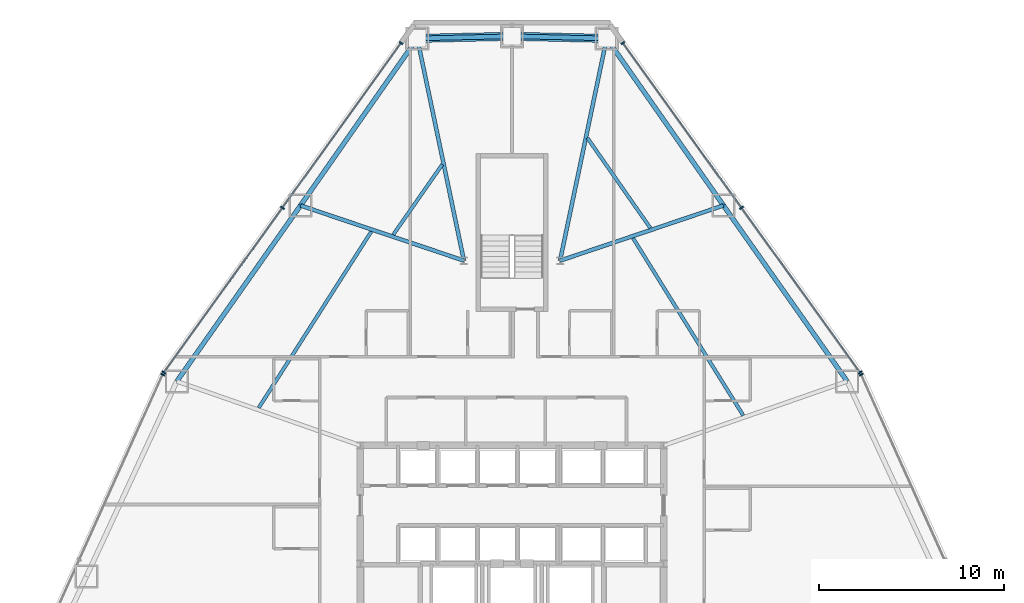
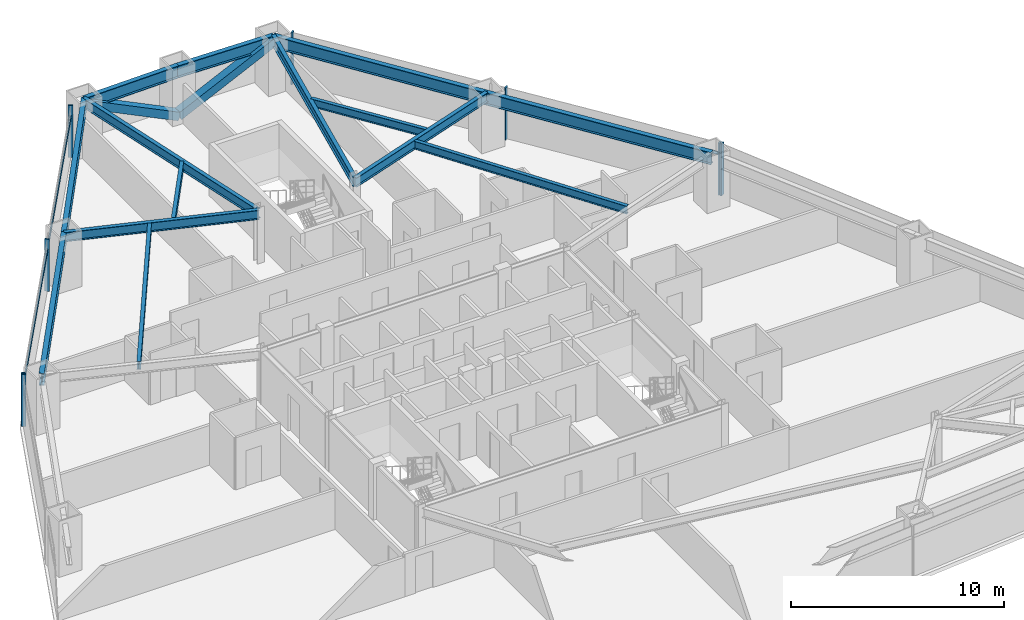
# One storey, part 7 of 12: 14 beams, 12 members, 4 elements without a shape of their own.
"""IFC4 building model written with IfcOpenShell, lengths in metres."""

from ifc_helpers import new_model, si_unit, direction, frame, origin, origin_2d, place, context, subcontext, project, spatial, rectangle, hollow_rectangle, i_section, extrude, source, transform, mapped, material, layer, layer_set, material_profile, profile_set, type_object, type_shapes, element, aggregate, save


model = new_model("IFC4")

# Units and contexts
model_context = context("Model", 3, precision=1e-05, world=origin(), true_north=direction((0.0, 1.0)))
body_context = subcontext(model_context, "Body", "Model", "MODEL_VIEW")
ifc_project = project(units=[si_unit("LENGTHUNIT", "METRE"), si_unit("AREAUNIT", "SQUARE_METRE"), si_unit("VOLUMEUNIT", "CUBIC_METRE"), si_unit("PLANEANGLEUNIT", "RADIAN"), si_unit("MASSUNIT", "GRAM", prefix="KILO")], contexts=[model_context])

# Site, building, storey
site_placement = place(None, origin())
site = spatial("IfcSite", under=ifc_project, at=site_placement, CompositionType="ELEMENT")
building_placement = place(site_placement, origin())
building = spatial("IfcBuilding", under=site, at=building_placement, Name="Varakhsha Concourse Tower", CompositionType="ELEMENT")
storey_placement = place(building_placement, frame((0.0, 0.0, 30.39990234375)))
storey = spatial("IfcBuildingStorey", under=building, at=storey_placement, Name="L07", CompositionType="ELEMENT", Elevation=30.39990234375)

# Beams
ifc_material_1 = material(Name="Structural Steel ASTM A992 Grade 50", Category="steel")
ifc_material_profile_1 = material_profile(ifc_material_1, i_section(OverallWidth=0.19091796875, OverallDepth=0.45703125, WebThickness=0.009033203125, FlangeThickness=0.013916015625, at=origin_2d()), Name="W18X50")
ifc_profile_set_1 = profile_set([ifc_material_profile_1], Name="Structural Steel ASTM A992 Grade 50")
beam_type_1 = type_object("IfcBeamType", Name="BM-JST-W18X50", PredefinedType="JOIST", material=ifc_profile_set_1)
beam_1_placement = place(storey_placement, frame((36.226318359375, 46.400146484375, 2.751708984375), z_axis=(-0.572821959369, -0.819679817285, 0.0), x_axis=(0.819679817285, -0.572821959369, 0.0)))
element("IfcBeam", 1, at=beam_1_placement, inside=storey, type_object=beam_type_1, Name="BM-TJST-L07-03", PredefinedType="JOIST", context=body_context, shape_type="SweptSolid", body=[
    extrude(i_section(OverallWidth=0.19091796875, OverallDepth=0.45703125, WebThickness=0.009033203125, FlangeThickness=0.013916015625, at=origin_2d()), origin(), (0.0, 0.0, 1.0), 4.63232421875),
])
beam_2_placement = place(storey_placement, frame((32.3896484375, 42.7783203125, 2.751708984375), z_axis=(-0.53821146818, -0.842809833545, 0.0), x_axis=(0.842809833545, -0.53821146818, 0.0)))
element("IfcBeam", 2, at=beam_2_placement, inside=storey, type_object=beam_type_1, Name="BM-TJST-L07-04", PredefinedType="JOIST", context=body_context, shape_type="SweptSolid", body=[
    extrude(i_section(OverallWidth=0.19091796875, OverallDepth=0.45703125, WebThickness=0.009033203125, FlangeThickness=0.013916015625, at=origin_2d()), origin(), (0.0, 0.0, 1.0), 11.322265625),
])
beam_3_placement = place(storey_placement, frame((52.51318359375, 32.8203125, 2.751708984375), z_axis=(-0.527810727091, 0.849362017262, 0.0), x_axis=(-0.849362017262, -0.527810727091, 0.0)))
element("IfcBeam", 3, at=beam_3_placement, inside=storey, type_object=beam_type_1, Name="BM-TJST-L07-17", PredefinedType="JOIST", context=body_context, shape_type="SweptSolid", body=[
    extrude(i_section(OverallWidth=0.19091796875, OverallDepth=0.45703125, WebThickness=0.009033203125, FlangeThickness=0.013916015625, at=origin_2d()), origin(), (0.0, 0.0, 1.0), 11.301513671875),
])
beam_4_placement = place(storey_placement, frame((47.488037109375, 42.961181640625, 2.751708984375), z_axis=(-0.572823903729, 0.819678458492, 0.0), x_axis=(-0.819678458492, -0.572823903729, 0.0)))
element("IfcBeam", 4, at=beam_4_placement, inside=storey, type_object=beam_type_1, Name="BM-TJST-L07-18", PredefinedType="JOIST", context=body_context, shape_type="SweptSolid", body=[
    extrude(i_section(OverallWidth=0.19091796875, OverallDepth=0.45703125, WebThickness=0.009033203125, FlangeThickness=0.013916015625, at=origin_2d()), origin(), (0.0, 0.0, 1.0), 5.955810546875),
])
ifc_material_profile_2 = material_profile(ifc_material_1, i_section(OverallWidth=0.2109375, OverallDepth=0.5390625, WebThickness=0.011962890625, FlangeThickness=0.01904296875, at=origin_2d()), Name="W21X73")
ifc_profile_set_2 = profile_set([ifc_material_profile_2], Name="Structural Steel ASTM A992 Grade 50")
beam_type_2 = type_object("IfcBeamType", Name="BM-RAD-W21X73", PredefinedType="BEAM", material=ifc_profile_set_2)
for number, where, z_axis, x_axis, name in (
    (5, (42.60009765625, 41.199951171875, 2.710693359375), (0.205439579313, 0.97866980093, 0.0), (-0.97866980093, 0.205439579313, 0.0), "L07 Radial Floor Girder 01"),
    (6, (37.39990234375, 41.199951171875, 2.710693359375), (-0.205439579313, 0.97866980093, 0.0), (-0.97866980093, -0.205439579313, 0.0), "L07 Radial Floor Girder 03"),
):
    element("IfcBeam", number, at=place(storey_placement, frame(where, z_axis=z_axis, x_axis=x_axis)), inside=storey, type_object=beam_type_2, Name=name, PredefinedType="BEAM", context=body_context, shape_type="SweptSolid", body=[
        extrude(i_section(OverallWidth=0.2109375, OverallDepth=0.5390625, WebThickness=0.011962890625, FlangeThickness=0.01904296875, at=origin_2d()), origin(), (0.0, 0.0, 1.0), 12.285400390625),
    ])
for number, where, z_axis, x_axis, name in (
    (7, (37.39990234375, 41.199951171875, 2.710693359375), (-0.947494062614, 0.319773359288, 0.0), (-0.319773359288, -0.947494062614, 0.0), "L07 Radial Floor Girder 04"),
    (8, (42.60009765625, 41.199951171875, 2.710693359375), (0.947494062614, 0.319773359288, 0.0), (-0.319773359288, 0.947494062614, 0.0), "L07 Radial Floor Girder 18"),
):
    element("IfcBeam", number, at=place(storey_placement, frame(where, z_axis=z_axis, x_axis=x_axis)), inside=storey, type_object=beam_type_2, Name=name, PredefinedType="BEAM", context=body_context, shape_type="SweptSolid", body=[
        extrude(i_section(OverallWidth=0.2109375, OverallDepth=0.5390625, WebThickness=0.011962890625, FlangeThickness=0.01904296875, at=origin_2d()), origin(), (0.0, 0.0, 1.0), 9.331298828125),
    ])
ifc_material_profile_3 = material_profile(ifc_material_1, i_section(OverallWidth=0.25390625, OverallDepth=0.701904296875, WebThickness=0.014892578125, FlangeThickness=0.028076171875, at=origin_2d()), Name="W27X129")
ifc_profile_set_3 = profile_set([ifc_material_profile_3], Name="Structural Steel ASTM A992 Grade 50")
beam_type_3 = type_object("IfcBeamType", Name="BM-SPAN-W27X129", PredefinedType="SPANDREL", material=ifc_profile_set_3)
for number, where, z_axis, x_axis, name in (
    (9, (45.1240234375, 53.223388671875, 2.629150390625), (-0.999740752381, 0.022769014658, 0.0), (-0.022769014658, -0.999740752381, 0.0), "BM-SPAN-L07-01"),
    (10, (40.0, 53.340087890625, 2.629150390625), (-0.999740752381, -0.022769014658, 0.0), (0.022769014658, -0.999740752381, 0.0), "BM-SPAN-L07-02"),
):
    element("IfcBeam", number, at=place(storey_placement, frame(where, z_axis=z_axis, x_axis=x_axis)), inside=storey, type_object=beam_type_3, Name=name, PredefinedType="SPANDREL", context=body_context, shape_type="SweptSolid", body=[
        extrude(i_section(OverallWidth=0.25390625, OverallDepth=0.701904296875, WebThickness=0.014892578125, FlangeThickness=0.028076171875, at=origin_2d()), origin(), (0.0, 0.0, 1.0), 5.125244140625),
    ])
beam_5_placement = place(storey_placement, frame((34.8759765625, 53.223388671875, 2.629150390625), z_axis=(-0.572835189136, -0.819670571686, 0.0), x_axis=(0.819670571686, -0.572835189136, 0.0)))
element("IfcBeam", 11, at=beam_5_placement, inside=storey, type_object=beam_type_3, Name="BM-SPAN-L07-03", PredefinedType="SPANDREL", context=body_context, shape_type="SweptSolid", body=[
    extrude(i_section(OverallWidth=0.25390625, OverallDepth=0.701904296875, WebThickness=0.014892578125, FlangeThickness=0.028076171875, at=origin_2d()), origin(), (0.0, 0.0, 1.0), 11.0283203125),
])
for number, where, z_axis, x_axis, name in (
    (12, (28.55859375, 44.183837890625, 2.629150390625), (-0.575386304622, -0.817881776575, 0.0), (0.817881776575, -0.575386304622, 0.0), "BM-SPAN-L07-04"),
    (13, (58.134521484375, 34.669921875, 2.629150390625), (-0.575386304622, 0.817881776575, 0.0), (-0.817881776575, -0.575386304622, 0.0), "BM-SPAN-L07-17"),
):
    element("IfcBeam", number, at=place(storey_placement, frame(where, z_axis=z_axis, x_axis=x_axis)), inside=storey, type_object=beam_type_3, Name=name, PredefinedType="SPANDREL", context=body_context, shape_type="SweptSolid", body=[
        extrude(i_section(OverallWidth=0.25390625, OverallDepth=0.701904296875, WebThickness=0.014892578125, FlangeThickness=0.028076171875, at=origin_2d()), origin(), (0.0, 0.0, 1.0), 11.63232421875),
    ])
beam_6_placement = place(storey_placement, frame((51.44140625, 44.183837890625, 2.629150390625), z_axis=(-0.572835189136, 0.819670571686, 0.0), x_axis=(-0.819670571686, -0.572835189136, 0.0)))
element("IfcBeam", 14, at=beam_6_placement, inside=storey, type_object=beam_type_3, Name="BM-SPAN-L07-18", PredefinedType="SPANDREL", context=body_context, shape_type="SweptSolid", body=[
    extrude(i_section(OverallWidth=0.25390625, OverallDepth=0.701904296875, WebThickness=0.014892578125, FlangeThickness=0.028076171875, at=origin_2d()), origin(), (0.0, 0.0, 1.0), 11.0283203125),
])

# Members
ifc_material_2 = material(Name="Structural Steel ASTM A500 Grade C", Category="steel")
ifc_material_profile_4 = material_profile(ifc_material_2, hollow_rectangle(XDim=0.449951171875, YDim=0.449951171875, WallThickness=0.01904296875, at=origin_2d()), Name="HSS 450x450x19")
ifc_profile_set_4 = profile_set([ifc_material_profile_4], Name="Structural Steel ASTM A500 Grade C")
member_type_1 = type_object("IfcMemberType", Name="MB-TUBE-HSS450", PredefinedType="BRACE", material=ifc_profile_set_4)
shared_shape_1 = source(origin(), body_context, "Body", "SweptSolid", [
    extrude(hollow_rectangle(XDim=0.449951171875, YDim=0.449951171875, WallThickness=0.01904296875, at=origin_2d()), origin(), (0.0, 0.0, 1.0), 5.729248046875),
])
type_shapes(member_type_1, [shared_shape_1])
for number, where, z_axis, x_axis, name in (
    (15, (40.0, 53.340087890625, 0.1201171875), (0.894377940024, -0.020369385141, 0.4468480598), (0.022769014658, 0.999740752381, 0.0), "L07 Wind-Corner Tube Brace B01"),
    (16, (40.0, 53.340087890625, 0.1201171875), (-0.894377940024, -0.020369385141, 0.4468480598), (0.022769014658, -0.999740752381, 0.0), "L07 Wind-Corner Tube Brace B02"),
):
    element("IfcMember", number, at=place(storey_placement, frame(where, z_axis=z_axis, x_axis=x_axis)), inside=storey, type_object=member_type_1, Name=name, PredefinedType="BRACE", context=body_context, shape_type="MappedRepresentation", body=[
        mapped(shared_shape_1, transform((0.0, 0.0, 0.0), scale=1.0)),
    ])

# Curtain wall, members
ifc_material_3 = material(Name="Anodised Bronze Architectural Aluminium AA 6063-T6", Category="aluminium")
ifc_layer = layer(ifc_material_3, 0.219970703125, Name="CW-SYS-02")
ifc_layer_set = layer_set([ifc_layer], Name="Anodised Bronze Architectural Aluminium AA 6063-T6")
curtain_wall_type = type_object("IfcCurtainWallType", Name="CW-SYS-02", PredefinedType="NOTDEFINED", material=ifc_layer_set)
curtain_wall_1_placement = place(storey_placement, origin())
curtain_wall_1 = element("IfcCurtainWall", 17, at=curtain_wall_1_placement, inside=storey, type_object=curtain_wall_type, Name="L07 Crystal Curtain Wall F2", PredefinedType="NOTDEFINED")
ifc_material_profile_5 = material_profile(ifc_material_3, rectangle(XDim=0.074951171875, YDim=0.219970703125, at=origin_2d()), Name="CWM-220X75")
ifc_profile_set_5 = profile_set([ifc_material_profile_5], Name="Anodised Bronze Architectural Aluminium AA 6063-T6")
member_type_2 = type_object("IfcMemberType", Name="CWM-220X75", PredefinedType="MULLION", material=ifc_profile_set_5)
shared_shape_2 = source(origin(), body_context, "Body", "SweptSolid", [
    extrude(rectangle(XDim=0.074951171875, YDim=0.219970703125, at=origin_2d()), origin(), (0.0, 0.0, 1.0), 2.97998046875),
])
type_shapes(member_type_2, [shared_shape_2])
member_1_placement = place(storey_placement, frame((21.16552734375, 35.1474609375, 0.0), z_axis=(0.0, 0.0, 1.0), x_axis=(0.584283660256, 0.81154950826, 0.0)))
member_1 = element("IfcMember", 18, at=member_1_placement, type_object=member_type_2, Name="CW-L07-F2 Mullion 00", PredefinedType="MULLION", context=body_context, shape_type="MappedRepresentation", body=[
    mapped(shared_shape_2, transform((0.0, 0.0, 0.0), scale=1.0)),
])
member_2_placement = place(storey_placement, frame((27.5830078125, 44.060791015625, 0.0), z_axis=(0.0, 0.0, 1.0), x_axis=(0.584283660256, 0.81154950826, 0.0)))
member_2 = element("IfcMember", 19, at=member_2_placement, type_object=member_type_2, Name="CW-L07-F2 Mullion 01", PredefinedType="MULLION", context=body_context, shape_type="MappedRepresentation", body=[
    mapped(shared_shape_2, transform((0.0, 0.0, 0.0), scale=1.0)),
])
member_3_placement = place(storey_placement, frame((34.000244140625, 52.97412109375, 0.0), z_axis=(0.0, 0.0, 1.0), x_axis=(0.584283660256, 0.81154950826, 0.0)))
member_3 = element("IfcMember", 20, at=member_3_placement, type_object=member_type_2, Name="CW-L07-F2 Mullion 02", PredefinedType="MULLION", context=body_context, shape_type="MappedRepresentation", body=[
    mapped(shared_shape_2, transform((0.0, 0.0, 0.0), scale=1.0)),
])

# Curtain wall, member
curtain_wall_2_placement = place(storey_placement, origin())
curtain_wall_2 = element("IfcCurtainWall", 21, at=curtain_wall_2_placement, inside=storey, type_object=curtain_wall_type, Name="L07 Crystal Curtain Wall F3", PredefinedType="NOTDEFINED")
member_4_placement = place(storey_placement, frame((21.10205078125, 35.037353515625, 0.0), z_axis=(0.0, 0.0, 1.0), x_axis=(0.410683843161, 0.911777813377, 0.0)))
member_4 = element("IfcMember", 22, at=member_4_placement, type_object=member_type_2, Name="CW-L07-F3 Mullion 02", PredefinedType="MULLION", context=body_context, shape_type="MappedRepresentation", body=[
    mapped(shared_shape_2, transform((0.0, 0.0, 0.0), scale=1.0)),
])
aggregate(curtain_wall_2, [member_4])

curtain_wall_3_placement = place(storey_placement, origin())
curtain_wall_3 = element("IfcCurtainWall", 23, at=curtain_wall_3_placement, inside=storey, type_object=curtain_wall_type, Name="L07 Crystal Curtain Wall F8", PredefinedType="NOTDEFINED")
member_5_placement = place(storey_placement, frame((58.89794921875, 35.037353515625, 0.0), z_axis=(0.0, 0.0, 1.0), x_axis=(0.410683843161, -0.911777813377, 0.0)))
member_5 = element("IfcMember", 24, at=member_5_placement, type_object=member_type_2, Name="CW-L07-F8 Mullion 00", PredefinedType="MULLION", context=body_context, shape_type="MappedRepresentation", body=[
    mapped(shared_shape_2, transform((0.0, 0.0, 0.0), scale=1.0)),
])
aggregate(curtain_wall_3, [member_5])

# Curtain wall, members
curtain_wall_4_placement = place(storey_placement, origin())
curtain_wall_4 = element("IfcCurtainWall", 25, at=curtain_wall_4_placement, inside=storey, type_object=curtain_wall_type, Name="L07 Crystal Curtain Wall F9", PredefinedType="NOTDEFINED")
member_6_placement = place(storey_placement, frame((45.999755859375, 52.97412109375, 0.0), z_axis=(0.0, 0.0, 1.0), x_axis=(0.584283660256, -0.81154950826, 0.0)))
member_6 = element("IfcMember", 26, at=member_6_placement, type_object=member_type_2, Name="CW-L07-F9 Mullion 00", PredefinedType="MULLION", context=body_context, shape_type="MappedRepresentation", body=[
    mapped(shared_shape_2, transform((0.0, 0.0, 0.0), scale=1.0)),
])
member_7_placement = place(storey_placement, frame((52.4169921875, 44.060791015625, 0.0), z_axis=(0.0, 0.0, 1.0), x_axis=(0.584283660256, -0.81154950826, 0.0)))
member_7 = element("IfcMember", 27, at=member_7_placement, type_object=member_type_2, Name="CW-L07-F9 Mullion 01", PredefinedType="MULLION", context=body_context, shape_type="MappedRepresentation", body=[
    mapped(shared_shape_2, transform((0.0, 0.0, 0.0), scale=1.0)),
])
member_8_placement = place(storey_placement, frame((58.83447265625, 35.1474609375, 0.0), z_axis=(0.0, 0.0, 1.0), x_axis=(0.584283660256, -0.81154950826, 0.0)))
member_8 = element("IfcMember", 28, at=member_8_placement, type_object=member_type_2, Name="CW-L07-F9 Mullion 02", PredefinedType="MULLION", context=body_context, shape_type="MappedRepresentation", body=[
    mapped(shared_shape_2, transform((0.0, 0.0, 0.0), scale=1.0)),
])

# Member
ifc_material_profile_6 = material_profile(ifc_material_3, rectangle(XDim=0.06494140625, YDim=0.159912109375, at=origin_2d()), Name="CWT-160X65")
ifc_profile_set_6 = profile_set([ifc_material_profile_6], Name="Anodised Bronze Architectural Aluminium AA 6063-T6")
member_type_3 = type_object("IfcMemberType", Name="CWT-160X65", PredefinedType="USERDEFINED", material=ifc_profile_set_6)
shared_shape_3 = source(origin(), body_context, "Body", "SweptSolid", [
    extrude(rectangle(XDim=0.06494140625, YDim=0.159912109375, at=origin_2d()), origin(), (0.0, 0.0, 1.0), 21.96630859375),
])
type_shapes(member_type_3, [shared_shape_3])
member_9_placement = place(storey_placement, frame((21.16552734375, 35.1474609375, 2.330078125), z_axis=(0.584290379042, 0.811544670957, 0.0), x_axis=(-0.811544670957, 0.584290379042, 0.0)))
member_9 = element("IfcMember", 29, at=member_9_placement, type_object=member_type_3, Name="CW-L07-F2 Transom 01", ObjectType="TRANSOM", PredefinedType="USERDEFINED", context=body_context, shape_type="MappedRepresentation", body=[
    mapped(shared_shape_3, transform((0.0, 0.0, 0.0), scale=1.0)),
])

aggregate(curtain_wall_1, [member_1, member_2, member_3, member_9])

member_10_placement = place(storey_placement, frame((45.999755859375, 52.97412109375, 2.330078125), z_axis=(0.584290379042, -0.811544670957, 0.0), x_axis=(0.811544670957, 0.584290379042, 0.0)))
member_10 = element("IfcMember", 30, at=member_10_placement, type_object=member_type_3, Name="CW-L07-F9 Transom 01", ObjectType="TRANSOM", PredefinedType="USERDEFINED", context=body_context, shape_type="MappedRepresentation", body=[
    mapped(shared_shape_3, transform((0.0, 0.0, 0.0), scale=1.0)),
])

aggregate(curtain_wall_4, [member_6, member_7, member_8, member_10])

save(model, "model.ifc")
